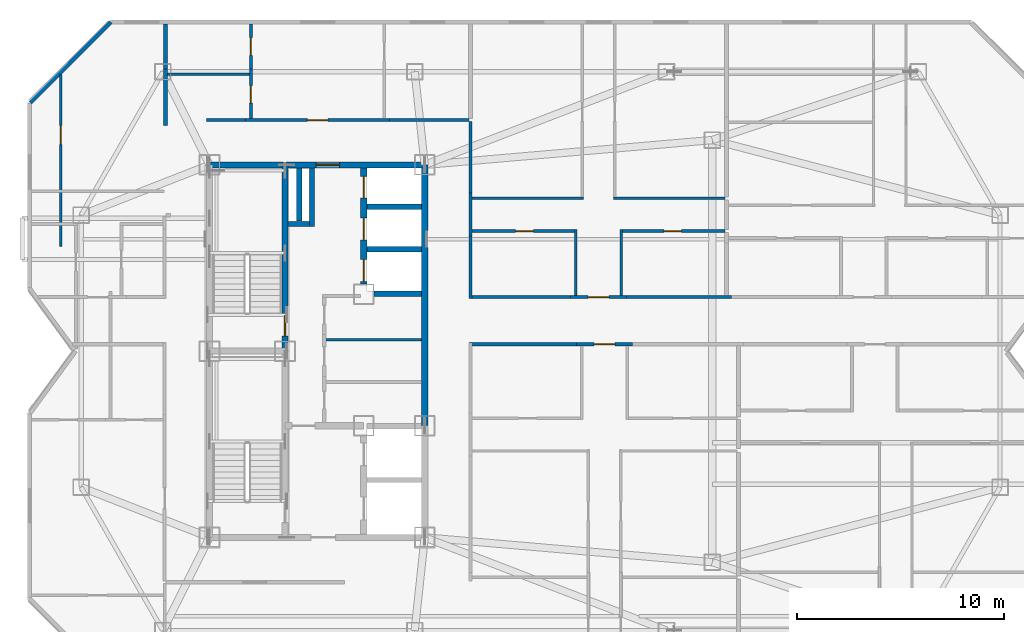
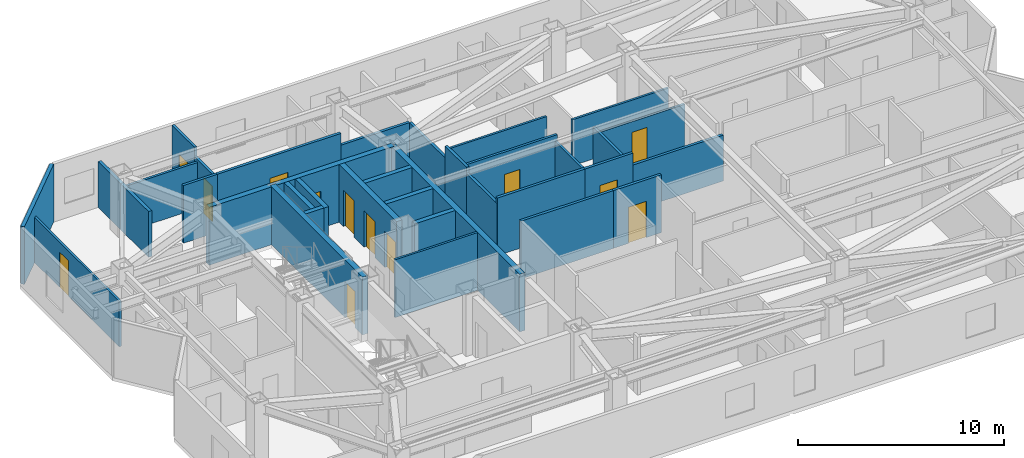
# One storey, part 6 of 10: 35 walls, 13 doors, 13 openings.
"""IFC4 building model written with IfcOpenShell, lengths in metres."""

from ifc_helpers import new_model, si_unit, direction, frame, frame_2d, origin, place, context, subcontext, project, spatial, rectangle, extrude, material, layer, layer_set, type_object, element, fill, save


model = new_model("IFC4")

# Units and contexts
model_context = context("Model", 3, precision=1e-05, world=origin(), true_north=direction((0.0, 1.0)))
body_context = subcontext(model_context, "Body", "Model", "MODEL_VIEW")
ifc_project = project(units=[si_unit("LENGTHUNIT", "METRE"), si_unit("AREAUNIT", "SQUARE_METRE"), si_unit("VOLUMEUNIT", "CUBIC_METRE"), si_unit("PLANEANGLEUNIT", "RADIAN"), si_unit("MASSUNIT", "GRAM", prefix="KILO")], contexts=[model_context])

# Site, building, storey
site_placement = place(None, origin())
site = spatial("IfcSite", under=ifc_project, at=site_placement, CompositionType="ELEMENT")
building_placement = place(site_placement, origin())
building = spatial("IfcBuilding", under=site, at=building_placement, Name="Khamvora Tower", CompositionType="ELEMENT")
storey_placement = place(building_placement, frame((0.0, 0.0, 257.35009765625)))
storey = spatial("IfcBuildingStorey", under=building, at=storey_placement, Name="L66", CompositionType="ELEMENT", Elevation=257.35009765625)

# Wall, opening, door
ifc_material_1 = material(Name="Concrete C50/60", Category="concrete")
ifc_layer_1 = layer(ifc_material_1, 0.300048828125)
ifc_layer_set_1 = layer_set([ifc_layer_1], Name="Concrete C50/60")
wall_type_1 = type_object("IfcWallType", Name="WAL-CORE-300", PredefinedType="SHEAR", material=ifc_layer_set_1)
wall_1_placement = place(storey_placement, frame((29.0, 37.0, 0.0), z_axis=(0.0, 0.0, 1.0), x_axis=(1.0, 0.0, 0.0)))
wall_1 = element("IfcWall", 1, at=wall_1_placement, inside=storey, type_object=wall_type_1, Name="L66 central core north wall", PredefinedType="SHEAR", context=body_context, shape_type="SweptSolid", body=[
    extrude(rectangle(XDim=10.39990234375, YDim=0.300048828125, at=frame_2d((5.199951171875, 0.0))), origin(), (0.0, 0.0, 1.0), 3.429931640625),
])
opening_1_placement = place(wall_1_placement, frame((5.139892578125, 0.0, 0.0)))
opening_1 = element("IfcOpeningElement", 2, at=opening_1_placement, cuts=wall_1, Name="Opening D-SC1", PredefinedType="OPENING", context=body_context, shape_type="SweptSolid", body=[
    extrude(rectangle(XDim=1.14990234375, YDim=2.199951171875, at=frame_2d((0.574951171875, 1.10009765625))), frame((0.0, 0.159912109375, 0.0), z_axis=(0.0, -1.0, 0.0), x_axis=(1.0, 0.0, 0.0)), (0.0, 0.0, 1.0), 0.320068359375),
])
ifc_material_2 = material(Name="Powder-Coated Steel and Hardwood Leaf", Category="steel")
door_type_1 = type_object("IfcDoorType", Name="DOR-SCHL-1150", OperationType="NOTDEFINED", PredefinedType="DOOR", material=ifc_material_2)
door_1_placement = place(opening_1_placement, origin())
door_1 = element("IfcDoor", 3, at=door_1_placement, inside=storey, type_object=door_type_1, Name="L66 north core lobby to corridor fire door", OperationType="SINGLE_SWING_LEFT", OverallHeight=2.199951171875, OverallWidth=1.14990234375, PredefinedType="DOOR", context=body_context, shape_type="SweptSolid", body=[
    extrude(rectangle(XDim=1.14990234375, YDim=2.199951171875, at=frame_2d((0.574951171875, 1.10009765625))), frame((0.0, 0.02490234375, 0.0), z_axis=(0.0, -1.0, 0.0), x_axis=(1.0, 0.0, 0.0)), (0.0, 0.0, 1.0), 0.050048828125),
])
fill(opening_1, door_1)

# Wall
wall_2_placement = place(storey_placement, frame((39.39990234375, 24.39990234375, 0.0), z_axis=(0.0, 0.0, 1.0), x_axis=(0.0, 1.0, 0.0)))
element("IfcWall", 4, at=wall_2_placement, inside=storey, type_object=wall_type_1, Name="L66 central core east north wall", PredefinedType="SHEAR", context=body_context, shape_type="SweptSolid", body=[
    extrude(rectangle(XDim=12.60009765625, YDim=0.300048828125, at=frame_2d((6.300048828125, 0.0))), origin(), (0.0, 0.0, 1.0), 3.429931640625),
])

# Wall, opening, door
wall_3_placement = place(storey_placement, frame((32.64990234375, 28.0, 0.0), z_axis=(0.0, 0.0, 1.0), x_axis=(0.0, 1.0, 0.0)))
wall_3 = element("IfcWall", 5, at=wall_3_placement, inside=storey, type_object=wall_type_1, Name="L66 central core stair north spine wall", PredefinedType="SHEAR", context=body_context, shape_type="SweptSolid", body=[
    extrude(rectangle(XDim=9.0, YDim=0.300048828125, at=frame_2d((4.5, 0.0))), origin(), (0.0, 0.0, 1.0), 3.429931640625),
])
opening_2_placement = place(wall_3_placement, frame((0.719970703125, 0.0, 0.0)))
opening_2 = element("IfcOpeningElement", 6, at=opening_2_placement, cuts=wall_3, Name="Opening D-ST1", PredefinedType="OPENING", context=body_context, shape_type="SweptSolid", body=[
    extrude(rectangle(XDim=1.0, YDim=2.14990234375, at=frame_2d((0.5, 1.074951171875))), frame((0.0, 0.159912109375, 0.0), z_axis=(0.0, -1.0, 0.0), x_axis=(1.0, 0.0, 0.0)), (0.0, 0.0, 1.0), 0.320068359375),
])
door_type_2 = type_object("IfcDoorType", Name="DOR-STAIR-1000", OperationType="NOTDEFINED", PredefinedType="DOOR", material=ifc_material_2)
door_2_placement = place(opening_2_placement, origin())
door_2 = element("IfcDoor", 7, at=door_2_placement, inside=storey, type_object=door_type_2, Name="L66 exit stair ST-02 fire door", OperationType="SINGLE_SWING_RIGHT", OverallHeight=2.14990234375, OverallWidth=1.0, PredefinedType="DOOR", context=body_context, shape_type="SweptSolid", body=[
    extrude(rectangle(XDim=1.0, YDim=2.14990234375, at=frame_2d((0.5, 1.074951171875))), frame((0.0, 0.02490234375, 0.0), z_axis=(0.0, -1.0, 0.0), x_axis=(1.0, 0.0, 0.0)), (0.0, 0.0, 1.0), 0.050048828125),
])
fill(opening_2, door_2)

# Wall, openings, doors
wall_4_placement = place(storey_placement, frame((36.449951171875, 31.25, 0.0), z_axis=(0.0, 0.0, 1.0), x_axis=(0.0, 1.0, 0.0)))
wall_4 = element("IfcWall", 8, at=wall_4_placement, inside=storey, type_object=wall_type_1, Name="L66 central core lift bank central wall", PredefinedType="SHEAR", context=body_context, shape_type="SweptSolid", body=[
    extrude(rectangle(XDim=5.595947265625, YDim=0.300048828125, at=frame_2d((2.7978515625, 0.0))), origin(), (0.0, 0.0, 1.0), 3.429931640625),
])
opening_3_placement = place(wall_4_placement, frame((0.1201171875, 0.0, 0.0)))
opening_3 = element("IfcOpeningElement", 9, at=opening_3_placement, cuts=wall_4, Name="Opening LD-PL", PredefinedType="OPENING", context=body_context, shape_type="SweptSolid", body=[
    extrude(rectangle(XDim=1.050048828125, YDim=2.14990234375, at=frame_2d((0.52490234375, 1.074951171875))), frame((0.0, 0.159912109375, 0.0), z_axis=(0.0, -1.0, 0.0), x_axis=(1.0, 0.0, 0.0)), (0.0, 0.0, 1.0), 0.320068359375),
])
opening_4_placement = place(wall_4_placement, frame((2.125, 0.0, 0.0)))
opening_4 = element("IfcOpeningElement", 10, at=opening_4_placement, cuts=wall_4, Name="Opening LD-PL", PredefinedType="OPENING", context=body_context, shape_type="SweptSolid", body=[
    extrude(rectangle(XDim=1.050048828125, YDim=2.14990234375, at=frame_2d((0.52490234375, 1.074951171875))), frame((0.0, 0.159912109375, 0.0), z_axis=(0.0, -1.0, 0.0), x_axis=(1.0, 0.0, 0.0)), (0.0, 0.0, 1.0), 0.320068359375),
])
opening_5_placement = place(wall_4_placement, frame((4.14501953125, 0.0, 0.0)))
opening_5 = element("IfcOpeningElement", 11, at=opening_5_placement, cuts=wall_4, Name="Opening LD-PL", PredefinedType="OPENING", context=body_context, shape_type="SweptSolid", body=[
    extrude(rectangle(XDim=1.050048828125, YDim=2.14990234375, at=frame_2d((0.52490234375, 1.074951171875))), frame((0.0, 0.159912109375, 0.0), z_axis=(0.0, -1.0, 0.0), x_axis=(1.0, 0.0, 0.0)), (0.0, 0.0, 1.0), 0.320068359375),
])
door_type_3 = type_object("IfcDoorType", Name="DOR-LIFT-1050", OperationType="SLIDING_TO_LEFT", PredefinedType="DOOR", material=ifc_material_2)
door_3_placement = place(opening_3_placement, origin())
door_3 = element("IfcDoor", 12, at=door_3_placement, inside=storey, type_object=door_type_3, Name="L66 lift landing sliding door PH-01", OperationType="SLIDING_TO_LEFT", OverallHeight=2.14990234375, OverallWidth=1.050048828125, PredefinedType="DOOR", context=body_context, shape_type="SweptSolid", body=[
    extrude(rectangle(XDim=1.050048828125, YDim=2.14990234375, at=frame_2d((0.52490234375, 1.074951171875))), frame((0.0, 0.02490234375, 0.0), z_axis=(0.0, -1.0, 0.0), x_axis=(1.0, 0.0, 0.0)), (0.0, 0.0, 1.0), 0.050048828125),
])
fill(opening_3, door_3)
door_4_placement = place(opening_4_placement, origin())
door_4 = element("IfcDoor", 13, at=door_4_placement, inside=storey, type_object=door_type_3, Name="L66 lift landing sliding door PH-02", OperationType="SLIDING_TO_LEFT", OverallHeight=2.14990234375, OverallWidth=1.050048828125, PredefinedType="DOOR", context=body_context, shape_type="SweptSolid", body=[
    extrude(rectangle(XDim=1.050048828125, YDim=2.14990234375, at=frame_2d((0.52490234375, 1.074951171875))), frame((0.0, 0.02490234375, 0.0), z_axis=(0.0, -1.0, 0.0), x_axis=(1.0, 0.0, 0.0)), (0.0, 0.0, 1.0), 0.050048828125),
])
fill(opening_4, door_4)
door_5_placement = place(opening_5_placement, origin())
door_5 = element("IfcDoor", 14, at=door_5_placement, inside=storey, type_object=door_type_3, Name="L66 lift landing sliding door PH-03", OperationType="SLIDING_TO_LEFT", OverallHeight=2.14990234375, OverallWidth=1.050048828125, PredefinedType="DOOR", context=body_context, shape_type="SweptSolid", body=[
    extrude(rectangle(XDim=1.050048828125, YDim=2.14990234375, at=frame_2d((0.52490234375, 1.074951171875))), frame((0.0, 0.02490234375, 0.0), z_axis=(0.0, -1.0, 0.0), x_axis=(1.0, 0.0, 0.0)), (0.0, 0.0, 1.0), 0.050048828125),
])
fill(opening_5, door_5)

# Wall, opening, door
ifc_material_3 = material(Name="Fire-Rated Drywall and Steel Stud", Category="steel")
ifc_layer_2 = layer(ifc_material_3, 0.14990234375)
ifc_layer_set_2 = layer_set([ifc_layer_2], Name="Fire-Rated Drywall and Steel Stud")
wall_type_2 = type_object("IfcWallType", Name="WAL-CORR-150", PredefinedType="STANDARD", material=ifc_layer_set_2)
wall_5_placement = place(storey_placement, frame((30.7509765625, 39.1650390625, 0.0), z_axis=(0.0, 0.0, 1.0), x_axis=(1.0, 0.0, 0.0)))
wall_5 = element("IfcWall", 15, at=wall_5_placement, inside=storey, type_object=wall_type_2, Name="L66 interior partition wall 016", PredefinedType="STANDARD", context=body_context, shape_type="SweptSolid", body=[
    extrude(rectangle(XDim=6.947998046875, YDim=0.14990234375, at=frame_2d((3.47412109375, 0.0))), origin(), (0.0, 0.0, 1.0), 3.429931640625),
])
opening_6_placement = place(wall_5_placement, frame((2.97412109375, 0.0, 0.0)))
opening_6 = element("IfcOpeningElement", 16, at=opening_6_placement, cuts=wall_5, Name="Opening D-U1", PredefinedType="OPENING", context=body_context, shape_type="SweptSolid", body=[
    extrude(rectangle(XDim=1.0, YDim=2.14990234375, at=frame_2d((0.5, 1.074951171875))), frame((0.0, 0.0849609375, 0.0), z_axis=(0.0, -1.0, 0.0), x_axis=(1.0, 0.0, 0.0)), (0.0, 0.0, 1.0), 0.169921875),
])
door_type_4 = type_object("IfcDoorType", Name="DOR-UNIT-1000", OperationType="NOTDEFINED", PredefinedType="DOOR", material=ifc_material_2)
door_6_placement = place(opening_6_placement, origin())
door_6 = element("IfcDoor", 17, at=door_6_placement, inside=storey, type_object=door_type_4, Name="L66 interior door COR-66NAH", OperationType="SINGLE_SWING_RIGHT", OverallHeight=2.14990234375, OverallWidth=1.0, PredefinedType="DOOR", context=body_context, shape_type="SweptSolid", body=[
    extrude(rectangle(XDim=1.0, YDim=2.14990234375, at=frame_2d((0.5, 1.074951171875))), frame((0.0, 0.02490234375, 0.0), z_axis=(0.0, -1.0, 0.0), x_axis=(1.0, 0.0, 0.0)), (0.0, 0.0, 1.0), 0.050048828125),
])
fill(opening_6, door_6)

# Walls
wall_6_placement = place(storey_placement, frame((28.85009765625, 39.1650390625, 0.0), z_axis=(0.0, 0.0, 1.0), x_axis=(1.0, 0.0, 0.0)))
element("IfcWall", 18, at=wall_6_placement, inside=storey, type_object=wall_type_2, Name="L66 interior partition wall 017", PredefinedType="STANDARD", context=body_context, shape_type="SweptSolid", body=[
    extrude(rectangle(XDim=1.90087890625, YDim=0.14990234375, at=frame_2d((0.950439453125, 0.0))), origin(), (0.0, 0.0, 1.0), 3.429931640625),
])
wall_7_placement = place(storey_placement, frame((37.698974609375, 39.1650390625, 0.0), z_axis=(0.0, 0.0, 1.0), x_axis=(1.0, 0.0, 0.0)))
element("IfcWall", 19, at=wall_7_placement, inside=storey, type_object=wall_type_2, Name="L66 interior partition wall 018", PredefinedType="STANDARD", context=body_context, shape_type="SweptSolid", body=[
    extrude(rectangle(XDim=3.85107421875, YDim=0.14990234375, at=frame_2d((1.925537109375, 0.0))), origin(), (0.0, 0.0, 1.0), 2.724853515625),
])

# Wall, opening, door
wall_8_placement = place(storey_placement, frame((49.43896484375, 28.3349609375, 0.0), z_axis=(0.0, 0.0, 1.0), x_axis=(-1.0, 0.0, 0.0)))
wall_8 = element("IfcWall", 20, at=wall_8_placement, inside=storey, type_object=wall_type_2, Name="L66 interior partition wall 019", PredefinedType="STANDARD", context=body_context, shape_type="SweptSolid", body=[
    extrude(rectangle(XDim=2.697998046875, YDim=0.14990234375, at=frame_2d((1.34912109375, 0.0))), origin(), (0.0, 0.0, 1.0), 3.429931640625),
])
opening_7_placement = place(wall_8_placement, frame((0.84912109375, 0.0, 0.0)))
opening_7 = element("IfcOpeningElement", 21, at=opening_7_placement, cuts=wall_8, Name="Opening D-U1", PredefinedType="OPENING", context=body_context, shape_type="SweptSolid", body=[
    extrude(rectangle(XDim=1.0, YDim=2.14990234375, at=frame_2d((0.5, 1.074951171875))), frame((0.0, 0.0849609375, 0.0), z_axis=(0.0, -1.0, 0.0), x_axis=(1.0, 0.0, 0.0)), (0.0, 0.0, 1.0), 0.169921875),
])
door_7_placement = place(opening_7_placement, origin())
door_7 = element("IfcDoor", 22, at=door_7_placement, inside=storey, type_object=door_type_4, Name="L66 interior door COR-66EA1H", OperationType="SINGLE_SWING_LEFT", OverallHeight=2.14990234375, OverallWidth=1.0, PredefinedType="DOOR", context=body_context, shape_type="SweptSolid", body=[
    extrude(rectangle(XDim=1.0, YDim=2.14990234375, at=frame_2d((0.5, 1.074951171875))), frame((0.0, 0.02490234375, 0.0), z_axis=(0.0, -1.0, 0.0), x_axis=(1.0, 0.0, 0.0)), (0.0, 0.0, 1.0), 0.050048828125),
])
fill(opening_7, door_7)

# Walls
wall_9_placement = place(storey_placement, frame((46.740966796875, 28.3349609375, 0.0), z_axis=(0.0, 0.0, 1.0), x_axis=(-1.0, 0.0, 0.0)))
element("IfcWall", 23, at=wall_9_placement, inside=storey, type_object=wall_type_2, Name="L66 interior partition wall 021", PredefinedType="STANDARD", context=body_context, shape_type="SweptSolid", body=[
    extrude(rectangle(XDim=5.19091796875, YDim=0.14990234375, at=frame_2d((2.595458984375, 0.0))), origin(), (0.0, 0.0, 1.0), 3.429931640625),
])
wall_10_placement = place(storey_placement, frame((41.614990234375, 35.632080078125, 0.0), z_axis=(0.0, 0.0, 1.0), x_axis=(0.0, -1.0, 0.0)))
element("IfcWall", 24, at=wall_10_placement, inside=storey, type_object=wall_type_2, Name="L66 interior partition wall 029", PredefinedType="STANDARD", context=body_context, shape_type="SweptSolid", body=[
    extrude(rectangle(XDim=2.078125, YDim=0.14990234375, at=frame_2d((1.0390625, 0.0))), origin(), (0.0, 0.0, 1.0), 3.429931640625),
])

# Wall, opening, door
wall_11_placement = place(storey_placement, frame((46.450927734375, 30.614990234375, 0.0), z_axis=(0.0, 0.0, 1.0), x_axis=(1.0, 0.0, 0.0)))
wall_11 = element("IfcWall", 25, at=wall_11_placement, inside=storey, type_object=wall_type_2, Name="L66 interior partition wall 030", PredefinedType="STANDARD", context=body_context, shape_type="SweptSolid", body=[
    extrude(rectangle(XDim=2.697998046875, YDim=0.14990234375, at=frame_2d((1.34912109375, 0.0))), origin(), (0.0, 0.0, 1.0), 3.429931640625),
])
opening_8_placement = place(wall_11_placement, frame((0.84912109375, 0.0, 0.0)))
opening_8 = element("IfcOpeningElement", 26, at=opening_8_placement, cuts=wall_11, Name="Opening D-U1", PredefinedType="OPENING", context=body_context, shape_type="SweptSolid", body=[
    extrude(rectangle(XDim=1.0, YDim=2.14990234375, at=frame_2d((0.5, 1.074951171875))), frame((0.0, 0.0849609375, 0.0), z_axis=(0.0, -1.0, 0.0), x_axis=(1.0, 0.0, 0.0)), (0.0, 0.0, 1.0), 0.169921875),
])
door_8_placement = place(opening_8_placement, origin())
door_8 = element("IfcDoor", 27, at=door_8_placement, inside=storey, type_object=door_type_4, Name="L66 interior door COR-66EBH", OperationType="SINGLE_SWING_LEFT", OverallHeight=2.14990234375, OverallWidth=1.0, PredefinedType="DOOR", context=body_context, shape_type="SweptSolid", body=[
    extrude(rectangle(XDim=1.0, YDim=2.14990234375, at=frame_2d((0.5, 1.074951171875))), frame((0.0, 0.02490234375, 0.0), z_axis=(0.0, -1.0, 0.0), x_axis=(1.0, 0.0, 0.0)), (0.0, 0.0, 1.0), 0.050048828125),
])
fill(opening_8, door_8)

# Walls
wall_12_placement = place(storey_placement, frame((41.614990234375, 33.553955078125, 0.0), z_axis=(0.0, 0.0, 1.0), x_axis=(0.0, -1.0, 0.0)))
element("IfcWall", 28, at=wall_12_placement, inside=storey, type_object=wall_type_2, Name="L66 interior partition wall 031", PredefinedType="STANDARD", context=body_context, shape_type="SweptSolid", body=[
    extrude(rectangle(XDim=3.00390625, YDim=0.14990234375, at=frame_2d((1.501953125, 0.0))), origin(), (0.0, 0.0, 1.0), 3.06494140625),
])
wall_13_placement = place(storey_placement, frame((41.550048828125, 30.614990234375, 0.0), z_axis=(0.0, 0.0, 1.0), x_axis=(1.0, 0.0, 0.0)))
element("IfcWall", 29, at=wall_13_placement, inside=storey, type_object=wall_type_2, Name="L66 interior partition wall 032", PredefinedType="STANDARD", context=body_context, shape_type="SweptSolid", body=[
    extrude(rectangle(XDim=4.90087890625, YDim=0.14990234375, at=frame_2d((2.450439453125, 0.0))), origin(), (0.0, 0.0, 1.0), 3.429931640625),
])
wall_14_placement = place(storey_placement, frame((49.14892578125, 30.614990234375, 0.0), z_axis=(0.0, 0.0, 1.0), x_axis=(1.0, 0.0, 0.0)))
element("IfcWall", 30, at=wall_14_placement, inside=storey, type_object=wall_type_2, Name="L66 interior partition wall 033", PredefinedType="STANDARD", context=body_context, shape_type="SweptSolid", body=[
    extrude(rectangle(XDim=5.0849609375, YDim=0.14990234375, at=frame_2d((2.54248046875, 0.0))), origin(), (0.0, 0.0, 1.0), 2.724853515625),
])
wall_15_placement = place(storey_placement, frame((41.614990234375, 39.10009765625, 0.0), z_axis=(0.0, 0.0, 1.0), x_axis=(0.0, -1.0, 0.0)))
element("IfcWall", 31, at=wall_15_placement, inside=storey, type_object=wall_type_2, Name="L66 interior partition wall 034", PredefinedType="STANDARD", context=body_context, shape_type="SweptSolid", body=[
    extrude(rectangle(XDim=3.468017578125, YDim=0.14990234375, at=frame_2d((1.73388671875, 0.0))), origin(), (0.0, 0.0, 1.0), 2.724853515625),
])
ifc_material_4 = material(Name="Acoustic Double-Stud Fire Wall", Category="gypsum")
ifc_layer_3 = layer(ifc_material_4, 0.179931640625)
ifc_layer_set_3 = layer_set([ifc_layer_3], Name="Acoustic Double-Stud Fire Wall")
wall_type_3 = type_object("IfcWallType", Name="WAL-CORR-180", PredefinedType="STANDARD", material=ifc_layer_set_3)
wall_16_placement = place(storey_placement, frame((26.875, 41.64306640625, 0.0), z_axis=(0.0, 0.0, 1.0), x_axis=(0.0, -1.0, 0.0)))
element("IfcWall", 32, at=wall_16_placement, inside=storey, type_object=wall_type_3, Name="L66 interior partition wall 051", PredefinedType="STANDARD", context=body_context, shape_type="SweptSolid", body=[
    extrude(rectangle(XDim=2.740966796875, YDim=0.179931640625, at=frame_2d((1.37060546875, 0.0))), origin(), (0.0, 0.0, 1.0), 2.724853515625),
])
wall_17_placement = place(storey_placement, frame((26.875, 43.80810546875, 0.0), z_axis=(0.0, 0.0, 1.0), x_axis=(0.0, -1.0, 0.0)))
element("IfcWall", 33, at=wall_17_placement, inside=storey, type_object=wall_type_3, Name="L66 interior partition wall 052", PredefinedType="STANDARD", context=body_context, shape_type="SweptSolid", body=[
    extrude(rectangle(XDim=2.1650390625, YDim=0.179931640625, at=frame_2d((1.08251953125, 0.0))), origin(), (0.0, 0.0, 1.0), 2.724853515625),
])
ifc_material_5 = material(Name="Precast concrete C40/50", Category="concrete")
ifc_layer_4 = layer(ifc_material_5, 0.199951171875)
ifc_layer_set_4 = layer_set([ifc_layer_4], Name="Precast concrete C40/50")
wall_type_4 = type_object("IfcWallType", Name="WAL-EXT-200", PredefinedType="STANDARD", material=ifc_layer_set_4)
wall_18_placement = place(storey_placement, frame((20.343994140625, 40.0029296875, 0.0), z_axis=(0.0, 0.0, 1.0), x_axis=(0.707106781187, 0.707106781187, 0.0)))
element("IfcWall", 34, at=wall_18_placement, inside=storey, type_object=wall_type_4, Name="L66 exterior facade wall 06.1", PredefinedType="STANDARD", context=body_context, shape_type="SweptSolid", body=[
    extrude(rectangle(XDim=5.51123046875, YDim=0.199951171875, at=frame_2d((2.755615234375, 0.0))), origin(), (0.0, 0.0, 1.0), 3.429931640625),
])
ifc_material_6 = material(Name="Gypsum Plasterboard Partition", Category="gypsum")
ifc_layer_5 = layer(ifc_material_6, 0.1201171875)
ifc_layer_set_5 = layer_set([ifc_layer_5], Name="Gypsum Plasterboard Partition")
wall_type_5 = type_object("IfcWallType", Name="WAL-PART-120", PredefinedType="PARTITIONING", material=ifc_layer_set_5)
wall_19_placement = place(storey_placement, frame((34.612060546875, 28.544921875, 0.0), z_axis=(0.0, 0.0, 1.0), x_axis=(1.0, 0.0, 0.0)))
element("IfcWall", 35, at=wall_19_placement, inside=storey, type_object=wall_type_5, Name="L66 interior partition wall 006", PredefinedType="PARTITIONING", context=body_context, shape_type="SweptSolid", body=[
    extrude(rectangle(XDim=4.64404296875, YDim=0.1201171875, at=frame_2d((2.322021484375, 0.0))), origin(), (0.0, 0.0, 1.0), 3.429931640625),
])

# Wall, opening, door
wall_20_placement = place(storey_placement, frame((21.824951171875, 41.368896484375, 0.0), z_axis=(0.0, 0.0, 1.0), x_axis=(0.0, -1.0, 0.0)))
wall_20 = element("IfcWall", 36, at=wall_20_placement, inside=storey, type_object=wall_type_5, Name="L66 interior partition wall 049", PredefinedType="PARTITIONING", context=body_context, shape_type="SweptSolid", body=[
    extrude(rectangle(XDim=8.310791015625, YDim=0.1201171875, at=frame_2d((4.1552734375, 0.0))), origin(), (0.0, 0.0, 1.0), 2.68701171875),
])
opening_9_placement = place(wall_20_placement, frame((2.47607421875, 0.0, 0.0)))
opening_9 = element("IfcOpeningElement", 37, at=opening_9_placement, cuts=wall_20, Name="Opening D-RM1", PredefinedType="OPENING", context=body_context, shape_type="SweptSolid", body=[
    extrude(rectangle(XDim=0.89990234375, YDim=2.10009765625, at=frame_2d((0.449951171875, 1.050048828125))), frame((0.0, 0.070068359375, 0.0), z_axis=(0.0, -1.0, 0.0), x_axis=(1.0, 0.0, 0.0)), (0.0, 0.0, 1.0), 0.14013671875),
])
door_type_5 = type_object("IfcDoorType", Name="DOR-ROOM-900", OperationType="NOTDEFINED", PredefinedType="DOOR", material=ifc_material_2)
door_9_placement = place(opening_9_placement, origin())
door_9 = element("IfcDoor", 38, at=door_9_placement, inside=storey, type_object=door_type_5, Name="L66 interior door 66WBH-66WBR1", OperationType="SINGLE_SWING_RIGHT", OverallHeight=2.10009765625, OverallWidth=0.89990234375, PredefinedType="DOOR", context=body_context, shape_type="SweptSolid", body=[
    extrude(rectangle(XDim=0.89990234375, YDim=2.10009765625, at=frame_2d((0.449951171875, 1.050048828125))), frame((0.0, 0.02490234375, 0.0), z_axis=(0.0, -1.0, 0.0), x_axis=(1.0, 0.0, 0.0)), (0.0, 0.0, 1.0), 0.050048828125),
])
fill(opening_9, door_9)

# Walls
wall_21_placement = place(storey_placement, frame((41.681884765625, 35.383056640625, 0.0), z_axis=(0.0, 0.0, 1.0), x_axis=(1.0, 0.0, 0.0)))
element("IfcWall", 39, at=wall_21_placement, inside=storey, type_object=wall_type_5, Name="L66 interior partition wall 092", PredefinedType="PARTITIONING", context=body_context, shape_type="SweptSolid", body=[
    extrude(rectangle(XDim=5.398193359375, YDim=0.1201171875, at=frame_2d((2.69921875, 0.0))), origin(), (0.0, 0.0, 1.0), 3.429931640625),
])
wall_22_placement = place(storey_placement, frame((48.52001953125, 35.383056640625, 0.0), z_axis=(0.0, 0.0, 1.0), x_axis=(1.0, 0.0, 0.0)))
element("IfcWall", 40, at=wall_22_placement, inside=storey, type_object=wall_type_5, Name="L66 interior partition wall 095", PredefinedType="PARTITIONING", context=body_context, shape_type="SweptSolid", body=[
    extrude(rectangle(XDim=5.39990234375, YDim=0.1201171875, at=frame_2d((2.699951171875, 0.0))), origin(), (0.0, 0.0, 1.0), 2.724853515625),
])
ifc_material_7 = material(Name="Concrete C40/50", Category="concrete")
ifc_layer_6 = layer(ifc_material_7, 0.25)
ifc_layer_set_6 = layer_set([ifc_layer_6], Name="Concrete C40/50")
wall_type_6 = type_object("IfcWallType", Name="WAL-PODS-250", PredefinedType="SHEAR", material=ifc_layer_set_6)
wall_23_placement = place(storey_placement, frame((36.9541015625, 30.77490234375, 0.0), z_axis=(0.0, 0.0, 1.0), x_axis=(1.0, 0.0, 0.0)))
element("IfcWall", 41, at=wall_23_placement, inside=storey, type_object=wall_type_6, Name="L66 high-rise lift shaft south enclosure wall PH-01", PredefinedType="SHEAR", context=body_context, shape_type="SweptSolid", body=[
    extrude(rectangle(XDim=2.2919921875, YDim=0.25, at=frame_2d((1.14599609375, 0.0))), origin(), (0.0, 0.0, 1.0), 3.429931640625),
])
for number, where, z_axis, x_axis, name in (
    (42, (36.60400390625, 32.925048828125, 0.0), (0.0, 0.0, 1.0), (1.0, 0.0, 0.0), "L66 lift shaft divider wall PH-01"),
    (43, (36.60400390625, 34.97509765625, 0.0), (0.0, 0.0, 1.0), (1.0, 0.0, 0.0), "L66 lift shaft divider wall PH-02"),
):
    element("IfcWall", number, at=place(storey_placement, frame(where, z_axis=z_axis, x_axis=x_axis)), inside=storey, type_object=wall_type_6, Name=name, PredefinedType="SHEAR", context=body_context, shape_type="SweptSolid", body=[
        extrude(rectangle(XDim=2.64208984375, YDim=0.25, at=frame_2d((1.321044921875, 0.0))), origin(), (0.0, 0.0, 1.0), 3.429931640625),
    ])
wall_24_placement = place(storey_placement, frame((33.955078125, 34.02490234375, 0.0), z_axis=(0.0, 0.0, 1.0), x_axis=(0.0, 1.0, 0.0)))
element("IfcWall", 44, at=wall_24_placement, inside=storey, type_object=wall_type_6, Name="L66 vertical MEP riser shaft east enclosure wall", PredefinedType="SHEAR", context=body_context, shape_type="SweptSolid", body=[
    extrude(rectangle(XDim=2.821044921875, YDim=0.25, at=frame_2d((1.41064453125, 0.0))), origin(), (0.0, 0.0, 1.0), 3.429931640625),
])
wall_25_placement = place(storey_placement, frame((32.803955078125, 34.14990234375, 0.0), z_axis=(0.0, 0.0, 1.0), x_axis=(1.0, 0.0, 0.0)))
element("IfcWall", 45, at=wall_25_placement, inside=storey, type_object=wall_type_6, Name="L66 vertical MEP riser shaft south enclosure wall", PredefinedType="SHEAR", context=body_context, shape_type="SweptSolid", body=[
    extrude(rectangle(XDim=1.02197265625, YDim=0.25, at=frame_2d((0.510986328125, 0.0))), origin(), (0.0, 0.0, 1.0), 3.429931640625),
])
wall_26_placement = place(storey_placement, frame((33.340087890625, 34.279052734375, 0.0), z_axis=(0.0, 0.0, 1.0), x_axis=(0.0, 1.0, 0.0)))
element("IfcWall", 46, at=wall_26_placement, inside=storey, type_object=wall_type_6, Name="L66 vertical MEP riser shaft divider enclosure wall", PredefinedType="SHEAR", context=body_context, shape_type="SweptSolid", body=[
    extrude(rectangle(XDim=2.56689453125, YDim=0.25, at=frame_2d((1.283447265625, 0.0))), origin(), (0.0, 0.0, 1.0), 3.429931640625),
])

# Wall, opening, door
ifc_material_8 = material(Name="Moisture-Resistant Plasterboard Partition", Category="gypsum")
ifc_layer_7 = layer(ifc_material_8, 0.135009765625)
ifc_layer_set_7 = layer_set([ifc_layer_7], Name="Moisture-Resistant Plasterboard Partition")
wall_type_7 = type_object("IfcWallType", Name="WAL-WET-135", PredefinedType="PARTITIONING", material=ifc_layer_set_7)
wall_27_placement = place(storey_placement, frame((31.0, 39.23193359375, 0.0), z_axis=(0.0, 0.0, 1.0), x_axis=(0.0, 1.0, 0.0)))
wall_27 = element("IfcWall", 47, at=wall_27_placement, inside=storey, type_object=wall_type_7, Name="L66 interior partition wall 053", PredefinedType="PARTITIONING", context=body_context, shape_type="SweptSolid", body=[
    extrude(rectangle(XDim=2.39697265625, YDim=0.135009765625, at=frame_2d((1.198486328125, 0.0))), origin(), (0.0, 0.0, 1.0), 2.886962890625),
])
opening_10_placement = place(wall_27_placement, frame((0.751953125, 0.0, 0.0)))
opening_10 = element("IfcOpeningElement", 48, at=opening_10_placement, cuts=wall_27, Name="Opening D-WC1", PredefinedType="OPENING", context=body_context, shape_type="SweptSolid", body=[
    extrude(rectangle(XDim=0.85009765625, YDim=2.10009765625, at=frame_2d((0.425048828125, 1.050048828125))), frame((0.0, 0.077392578125, 0.0), z_axis=(0.0, -1.0, 0.0), x_axis=(1.0, 0.0, 0.0)), (0.0, 0.0, 1.0), 0.155029296875),
])
door_type_6 = type_object("IfcDoorType", Name="DOR-WET-850", OperationType="NOTDEFINED", PredefinedType="DOOR", material=ifc_material_2)
door_10_placement = place(opening_10_placement, origin())
door_10 = element("IfcDoor", 49, at=door_10_placement, inside=storey, type_object=door_type_6, Name="L66 interior door 66NAH-66NAB", OperationType="SINGLE_SWING_LEFT", OverallHeight=2.10009765625, OverallWidth=0.85009765625, PredefinedType="DOOR", context=body_context, shape_type="SweptSolid", body=[
    extrude(rectangle(XDim=0.85009765625, YDim=2.10009765625, at=frame_2d((0.425048828125, 1.050048828125))), frame((0.0, 0.02490234375, 0.0), z_axis=(0.0, -1.0, 0.0), x_axis=(1.0, 0.0, 0.0)), (0.0, 0.0, 1.0), 0.050048828125),
])
fill(opening_10, door_10)

wall_28_placement = place(storey_placement, frame((31.0, 41.62890625, 0.0), z_axis=(0.0, 0.0, 1.0), x_axis=(0.0, 1.0, 0.0)))
wall_28 = element("IfcWall", 50, at=wall_28_placement, inside=storey, type_object=wall_type_7, Name="L66 interior partition wall 054", PredefinedType="PARTITIONING", context=body_context, shape_type="SweptSolid", body=[
    extrude(rectangle(XDim=2.17919921875, YDim=0.135009765625, at=frame_2d((1.089599609375, 0.0))), origin(), (0.0, 0.0, 1.0), 3.429931640625),
])
opening_11_placement = place(wall_28_placement, frame((0.6640625, 0.0, 0.0)))
opening_11 = element("IfcOpeningElement", 51, at=opening_11_placement, cuts=wall_28, Name="Opening D-RM2", PredefinedType="OPENING", context=body_context, shape_type="SweptSolid", body=[
    extrude(rectangle(XDim=0.85009765625, YDim=2.10009765625, at=frame_2d((0.425048828125, 1.050048828125))), frame((0.0, 0.077392578125, 0.0), z_axis=(0.0, -1.0, 0.0), x_axis=(1.0, 0.0, 0.0)), (0.0, 0.0, 1.0), 0.155029296875),
])
door_type_7 = type_object("IfcDoorType", Name="DOR-ROOM-850", OperationType="NOTDEFINED", PredefinedType="DOOR", material=ifc_material_2)
door_11_placement = place(opening_11_placement, origin())
door_11 = element("IfcDoor", 52, at=door_11_placement, inside=storey, type_object=door_type_7, Name="L66 interior door 66NAH-66NAK", OperationType="SINGLE_SWING_RIGHT", OverallHeight=2.10009765625, OverallWidth=0.85009765625, PredefinedType="DOOR", context=body_context, shape_type="SweptSolid", body=[
    extrude(rectangle(XDim=0.85009765625, YDim=2.10009765625, at=frame_2d((0.425048828125, 1.050048828125))), frame((0.0, 0.02490234375, 0.0), z_axis=(0.0, -1.0, 0.0), x_axis=(1.0, 0.0, 0.0)), (0.0, 0.0, 1.0), 0.050048828125),
])
fill(opening_11, door_11)

# Walls
wall_29_placement = place(storey_placement, frame((26.95703125, 41.3798828125, 0.0), z_axis=(0.0, 0.0, 1.0), x_axis=(1.0, 0.0, 0.0)))
element("IfcWall", 53, at=wall_29_placement, inside=storey, type_object=wall_type_7, Name="L66 interior partition wall 056", PredefinedType="PARTITIONING", context=body_context, shape_type="SweptSolid", body=[
    extrude(rectangle(XDim=3.98193359375, YDim=0.135009765625, at=frame_2d((1.990966796875, 0.0))), origin(), (0.0, 0.0, 1.0), 2.724853515625),
])
wall_30_placement = place(storey_placement, frame((46.699951171875, 30.679931640625, 0.0), z_axis=(0.0, 0.0, 1.0), x_axis=(0.0, 1.0, 0.0)))
element("IfcWall", 54, at=wall_30_placement, inside=storey, type_object=wall_type_7, Name="L66 interior partition wall 088", PredefinedType="PARTITIONING", context=body_context, shape_type="SweptSolid", body=[
    extrude(rectangle(XDim=3.18798828125, YDim=0.135009765625, at=frame_2d((1.593994140625, 0.0))), origin(), (0.0, 0.0, 1.0), 3.06494140625),
])

# Wall, opening, door
wall_31_placement = place(storey_placement, frame((46.764892578125, 33.802978515625, 0.0), z_axis=(0.0, 0.0, 1.0), x_axis=(-1.0, 0.0, 0.0)))
wall_31 = element("IfcWall", 55, at=wall_31_placement, inside=storey, type_object=wall_type_7, Name="L66 interior partition wall 089", PredefinedType="PARTITIONING", context=body_context, shape_type="SweptSolid", body=[
    extrude(rectangle(XDim=5.0830078125, YDim=0.135009765625, at=frame_2d((2.54150390625, 0.0))), origin(), (0.0, 0.0, 1.0), 3.429931640625),
])
opening_12_placement = place(wall_31_placement, frame((2.116943359375, 0.0, 0.0)))
opening_12 = element("IfcOpeningElement", 56, at=opening_12_placement, cuts=wall_31, Name="Opening D-WC1", PredefinedType="OPENING", context=body_context, shape_type="SweptSolid", body=[
    extrude(rectangle(XDim=0.85009765625, YDim=2.10009765625, at=frame_2d((0.425048828125, 1.050048828125))), frame((0.0, 0.077392578125, 0.0), z_axis=(0.0, -1.0, 0.0), x_axis=(1.0, 0.0, 0.0)), (0.0, 0.0, 1.0), 0.155029296875),
])
door_12_placement = place(opening_12_placement, origin())
door_12 = element("IfcDoor", 57, at=door_12_placement, inside=storey, type_object=door_type_6, Name="L66 interior door 66EBH-66EBB", OperationType="SINGLE_SWING_RIGHT", OverallHeight=2.10009765625, OverallWidth=0.85009765625, PredefinedType="DOOR", context=body_context, shape_type="SweptSolid", body=[
    extrude(rectangle(XDim=0.85009765625, YDim=2.10009765625, at=frame_2d((0.425048828125, 1.050048828125))), frame((0.0, 0.02490234375, 0.0), z_axis=(0.0, -1.0, 0.0), x_axis=(1.0, 0.0, 0.0)), (0.0, 0.0, 1.0), 0.050048828125),
])
fill(opening_12, door_12)

wall_32_placement = place(storey_placement, frame((53.919921875, 33.802978515625, 0.0), z_axis=(0.0, 0.0, 1.0), x_axis=(-1.0, 0.0, 0.0)))
wall_32 = element("IfcWall", 58, at=wall_32_placement, inside=storey, type_object=wall_type_7, Name="L66 interior partition wall 090", PredefinedType="PARTITIONING", context=body_context, shape_type="SweptSolid", body=[
    extrude(rectangle(XDim=5.0849609375, YDim=0.135009765625, at=frame_2d((2.54248046875, 0.0))), origin(), (0.0, 0.0, 1.0), 2.724853515625),
])
opening_13_placement = place(wall_32_placement, frame((2.117919921875, 0.0, 0.0)))
opening_13 = element("IfcOpeningElement", 59, at=opening_13_placement, cuts=wall_32, Name="Opening D-RM2", PredefinedType="OPENING", context=body_context, shape_type="SweptSolid", body=[
    extrude(rectangle(XDim=0.85009765625, YDim=2.10009765625, at=frame_2d((0.425048828125, 1.050048828125))), frame((0.0, 0.077392578125, 0.0), z_axis=(0.0, -1.0, 0.0), x_axis=(1.0, 0.0, 0.0)), (0.0, 0.0, 1.0), 0.155029296875),
])
door_13_placement = place(opening_13_placement, origin())
door_13 = element("IfcDoor", 60, at=door_13_placement, inside=storey, type_object=door_type_7, Name="L66 interior door 66EBH-66EBK", OperationType="SINGLE_SWING_LEFT", OverallHeight=2.10009765625, OverallWidth=0.85009765625, PredefinedType="DOOR", context=body_context, shape_type="SweptSolid", body=[
    extrude(rectangle(XDim=0.85009765625, YDim=2.10009765625, at=frame_2d((0.425048828125, 1.050048828125))), frame((0.0, 0.02490234375, 0.0), z_axis=(0.0, -1.0, 0.0), x_axis=(1.0, 0.0, 0.0)), (0.0, 0.0, 1.0), 0.050048828125),
])
fill(opening_13, door_13)

# Wall
wall_33_placement = place(storey_placement, frame((48.89990234375, 33.867919921875, 0.0), z_axis=(0.0, 0.0, 1.0), x_axis=(0.0, -1.0, 0.0)))
element("IfcWall", 61, at=wall_33_placement, inside=storey, type_object=wall_type_7, Name="L66 interior partition wall 091", PredefinedType="PARTITIONING", context=body_context, shape_type="SweptSolid", body=[
    extrude(rectangle(XDim=3.18798828125, YDim=0.135009765625, at=frame_2d((1.593994140625, 0.0))), origin(), (0.0, 0.0, 1.0), 3.06494140625),
])

save(model, "model.ifc")
